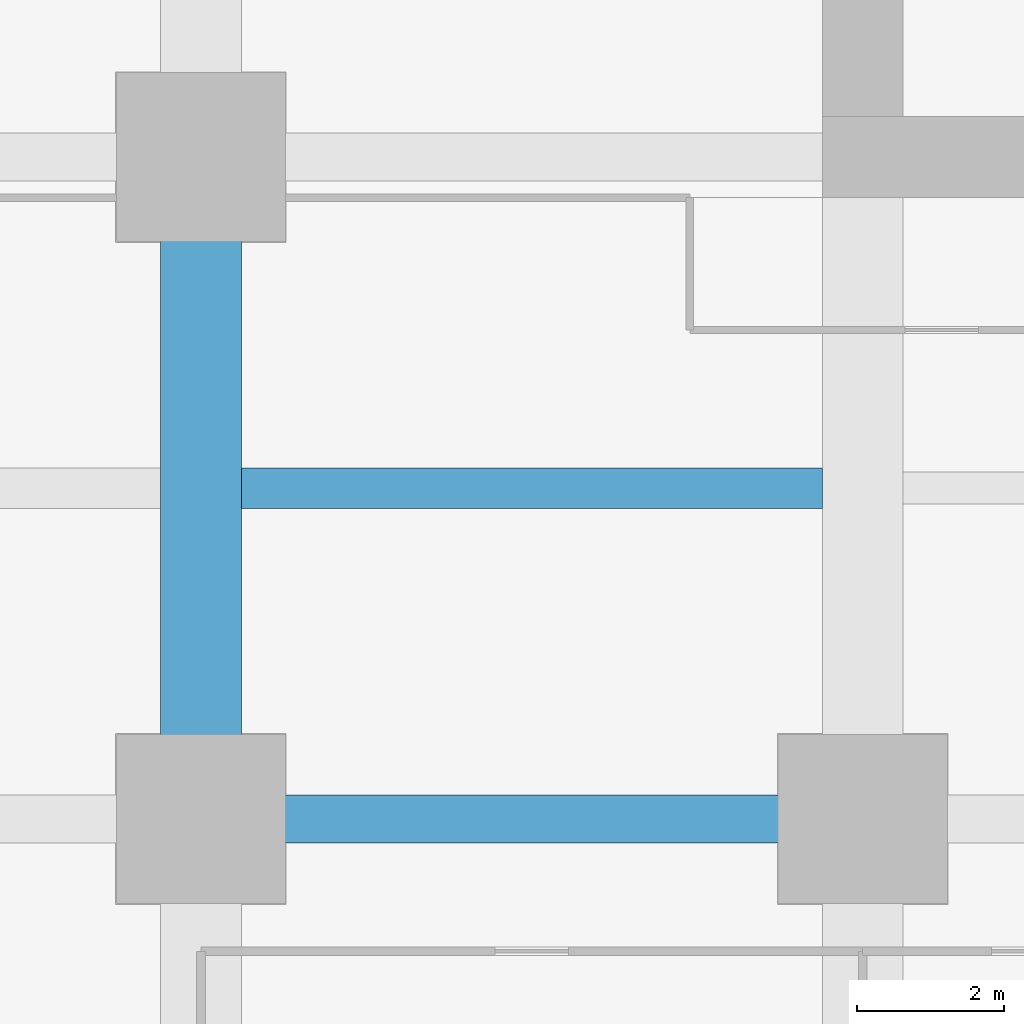
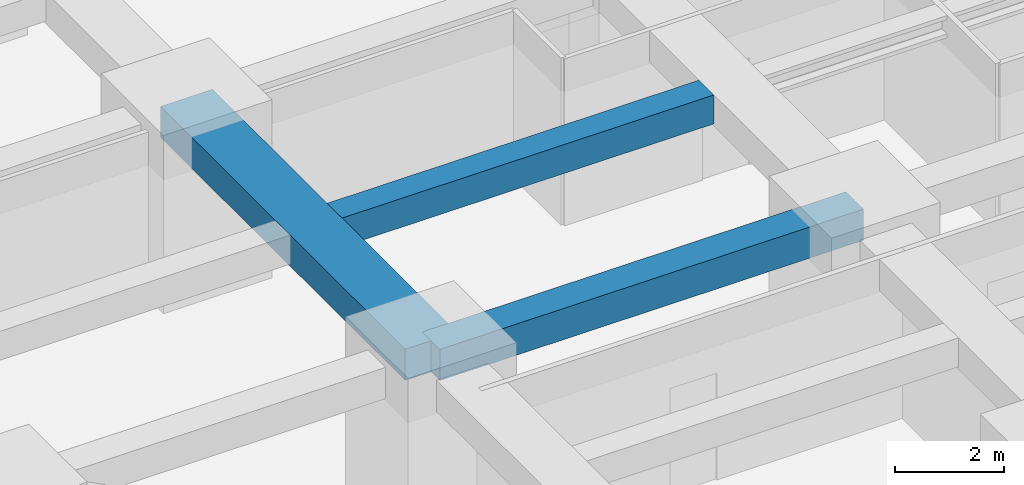
# One storey, part 5 of 50: 3 beams.
"""IFC4 building model written with IfcOpenShell, lengths in metres."""

from ifc_helpers import new_model, si_unit, direction, frame, origin, origin_2d, place, context, subcontext, project, spatial, rectangle, extrude, material, material_profile, profile_set, type_object, element, save


model = new_model("IFC4")

# Units and contexts
model_context = context("Model", 3, precision=1e-05, world=origin(), true_north=direction((0.0, 1.0)))
body_context = subcontext(model_context, "Body", "Model", "MODEL_VIEW")
ifc_project = project(units=[si_unit("LENGTHUNIT", "METRE"), si_unit("AREAUNIT", "SQUARE_METRE"), si_unit("VOLUMEUNIT", "CUBIC_METRE"), si_unit("PLANEANGLEUNIT", "RADIAN"), si_unit("MASSUNIT", "GRAM", prefix="KILO")], contexts=[model_context])

# Site, building, storey
site_placement = place(None, origin())
site = spatial("IfcSite", under=ifc_project, at=site_placement, CompositionType="ELEMENT")
building_placement = place(site_placement, origin())
building = spatial("IfcBuilding", under=site, at=building_placement, Name="Zorevar Civic Tower", CompositionType="ELEMENT")
storey_placement = place(building_placement, frame((0.0, 0.0, 85.0)))
storey = spatial("IfcBuildingStorey", under=building, at=storey_placement, Name="L20", CompositionType="ELEMENT", Elevation=85.0)

# Beams
ifc_material_1 = material(Name="Concrete C50/60", Category="concrete")
ifc_material_profile_1 = material_profile(ifc_material_1, rectangle(XDim=1.10009765625, YDim=0.699951171875, at=origin_2d()), Name="RC 1100x700")
ifc_profile_set_1 = profile_set([ifc_material_profile_1], Name="Concrete C50/60")
beam_type_1 = type_object("IfcBeamType", Name="Beam RC 1100x700", PredefinedType="BEAM", material=ifc_profile_set_1)
beam_1_placement = place(storey_placement, frame((9.0, 9.0, 3.39990234375), z_axis=(0.0, 1.0, 0.0), x_axis=(-1.0, 0.0, 0.0)))
element("IfcBeam", 1, at=beam_1_placement, inside=storey, type_object=beam_type_1, Name="Girder L21", PredefinedType="BEAM", context=body_context, shape_type="SweptSolid", body=[
    extrude(rectangle(XDim=1.10009765625, YDim=0.699951171875, at=origin_2d()), origin(), (0.0, 0.0, 1.0), 9.0),
])
ifc_material_2 = material(Name="Concrete C50/60", Category="concrete")
ifc_material_profile_2 = material_profile(ifc_material_2, rectangle(XDim=0.550048828125, YDim=0.64990234375, at=origin_2d()), Name="RC 550x650")
ifc_profile_set_2 = profile_set([ifc_material_profile_2], Name="Concrete C50/60")
beam_type_2 = type_object("IfcBeamType", Name="Beam RC 550x650", PredefinedType="BEAM", material=ifc_profile_set_2)
beam_2_placement = place(storey_placement, frame((9.550048828125, 13.5, 3.425048828125), z_axis=(1.0, 0.0, 0.0), x_axis=(0.0, 1.0, 0.0)))
element("IfcBeam", 2, at=beam_2_placement, inside=storey, type_object=beam_type_2, Name="Secondary beam L21", PredefinedType="BEAM", context=body_context, shape_type="SweptSolid", body=[
    extrude(rectangle(XDim=0.550048828125, YDim=0.64990234375, at=origin_2d()), origin(), (0.0, 0.0, 1.0), 7.89990234375),
])
ifc_material_3 = material(Name="Concrete C50/60", Category="concrete")
ifc_material_profile_3 = material_profile(ifc_material_3, rectangle(XDim=0.64990234375, YDim=0.699951171875, at=origin_2d()), Name="RC 650x700")
ifc_profile_set_3 = profile_set([ifc_material_profile_3], Name="Concrete C50/60")
beam_type_3 = type_object("IfcBeamType", Name="Beam RC 650x700", PredefinedType="BEAM", material=ifc_profile_set_3)
beam_3_placement = place(storey_placement, frame((9.0, 9.0, 3.39990234375), z_axis=(1.0, 0.0, 0.0), x_axis=(0.0, 1.0, 0.0)))
element("IfcBeam", 3, at=beam_3_placement, inside=storey, type_object=beam_type_3, Name="Girder L21", PredefinedType="BEAM", context=body_context, shape_type="SweptSolid", body=[
    extrude(rectangle(XDim=0.64990234375, YDim=0.699951171875, at=origin_2d()), origin(), (0.0, 0.0, 1.0), 9.0),
])

save(model, "model.ifc")
